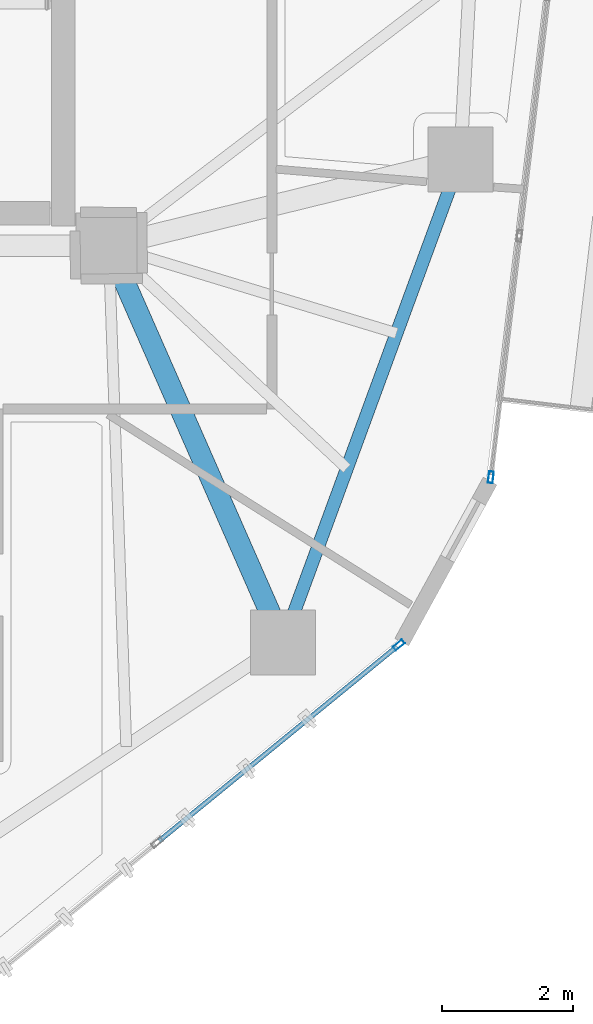
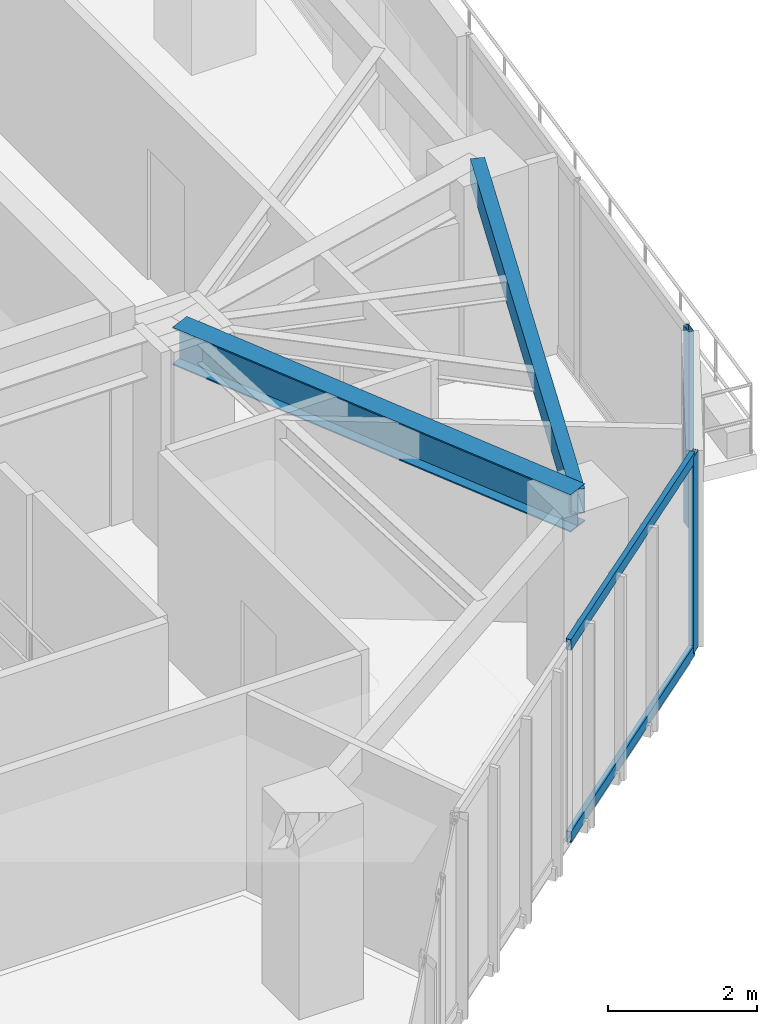
# One storey, part 7 of 22: 4 members, 2 beams, 2 elements without a shape of their own.
"""IFC4 building model written with IfcOpenShell, lengths in metres."""

from ifc_helpers import new_model, si_unit, direction, frame, origin, origin_2d, place, context, subcontext, project, spatial, hollow_rectangle, i_section, extrude, source, transform, mapped, material, layer, layer_set, material_profile, profile_set, type_object, type_shapes, element, aggregate, save


model = new_model("IFC4")

# Units and contexts
model_context = context("Model", 3, precision=1e-05, world=origin(), true_north=direction((0.0, 1.0)))
body_context = subcontext(model_context, "Body", "Model", "MODEL_VIEW")
ifc_project = project(units=[si_unit("LENGTHUNIT", "METRE"), si_unit("AREAUNIT", "SQUARE_METRE"), si_unit("VOLUMEUNIT", "CUBIC_METRE"), si_unit("PLANEANGLEUNIT", "RADIAN"), si_unit("MASSUNIT", "GRAM", prefix="KILO")], contexts=[model_context])

# Site, building, storey
site_placement = place(None, origin())
site = spatial("IfcSite", under=ifc_project, at=site_placement, CompositionType="ELEMENT")
building_placement = place(site_placement, origin())
building = spatial("IfcBuilding", under=site, at=building_placement, Name="Talar Marvaseh", CompositionType="ELEMENT")
storey_placement = place(building_placement, frame((0.0, 0.0, 208.199951171875)))
storey = spatial("IfcBuildingStorey", under=building, at=storey_placement, Name="L54", CompositionType="ELEMENT", Elevation=208.199951171875)

# Beams
ifc_material_1 = material(Name="Steel S355", Category="steel")
ifc_material_profile_1 = material_profile(ifc_material_1, hollow_rectangle(XDim=0.199951171875, YDim=0.39990234375, WallThickness=0.013916015625, at=origin_2d()), Name="RHS400x200x14")
ifc_profile_set_1 = profile_set([ifc_material_profile_1], Name="Steel S355")
beam_type_1 = type_object("IfcBeamType", Name="Zone 3 Perimeter Spandrel Beam RHS400x200x14", PredefinedType="SPANDREL", material=ifc_profile_set_1)
beam_1_placement = place(storey_placement, frame((38.68896484375, 26.823974609375, 3.030029296875), z_axis=(-0.344742291376, -0.938697370049, 0.0), x_axis=(0.938697370049, -0.344742291376, 0.0)))
element("IfcBeam", 1, at=beam_1_placement, inside=storey, type_object=beam_type_1, Name="L54 Zone 3 Perimeter Spandrel Beam RHS400x200x14", PredefinedType="SPANDREL", context=body_context, shape_type="SweptSolid", body=[
    extrude(hollow_rectangle(XDim=0.199951171875, YDim=0.39990234375, WallThickness=0.013916015625, at=origin_2d()), origin(), (0.0, 0.0, 1.0), 7.88427734375),
])
ifc_material_profile_2 = material_profile(ifc_material_1, i_section(OverallWidth=0.324951171875, OverallDepth=0.615966796875, WebThickness=0.013916015625, FlangeThickness=0.021484375, at=origin_2d()), Name="W610x174")
ifc_profile_set_2 = profile_set([ifc_material_profile_2], Name="Steel S355")
beam_type_2 = type_object("IfcBeamType", Name="Zone 3 Radial Floor Girder W610x174", PredefinedType="BEAM", material=ifc_profile_set_2)
beam_2_placement = place(storey_placement, frame((35.970947265625, 19.423095703125, 2.922119140625), z_axis=(-0.402367581672, 0.91547819702, 0.0), x_axis=(-0.91547819702, -0.402367581672, 0.0)))
element("IfcBeam", 2, at=beam_2_placement, inside=storey, type_object=beam_type_2, Name="L54 Zone 3 Radial Floor Girder W610x174", PredefinedType="BEAM", context=body_context, shape_type="SweptSolid", body=[
    extrude(i_section(OverallWidth=0.324951171875, OverallDepth=0.615966796875, WebThickness=0.013916015625, FlangeThickness=0.021484375, at=origin_2d()), origin(), (0.0, 0.0, 1.0), 6.637939453125),
])

# Curtain wall, member
ifc_material_2 = material(Name="Architectural Aluminium", Category="aluminium")
ifc_layer = layer(ifc_material_2, 0.18994140625)
ifc_layer_set = layer_set([ifc_layer], Name="Architectural Aluminium")
curtain_wall_type = type_object("IfcCurtainWallType", Name="Unitised Solar Atelier Curtain Wall Z3", PredefinedType="NOTDEFINED", material=ifc_layer_set)
curtain_wall_1_placement = place(storey_placement, origin())
curtain_wall_1 = element("IfcCurtainWall", 3, at=curtain_wall_1_placement, inside=storey, type_object=curtain_wall_type, Name="L54 Unitised Solar Atelier Curtain Wall Z3", PredefinedType="NOTDEFINED")
ifc_material_profile_3 = material_profile(ifc_material_2, hollow_rectangle(XDim=0.074951171875, YDim=0.179931640625, WallThickness=0.0048828125, at=origin_2d()), Name="RHS180x75x5")
ifc_profile_set_3 = profile_set([ifc_material_profile_3], Name="Architectural Aluminium")
member_type_1 = type_object("IfcMemberType", Name="Unitised Curtain Wall Standard Mullion RHS180x75x5", PredefinedType="MULLION", material=ifc_profile_set_3)
shared_shape_1 = source(origin(), body_context, "Body", "SweptSolid", [
    extrude(hollow_rectangle(XDim=0.074951171875, YDim=0.179931640625, WallThickness=0.0048828125, at=origin_2d()), origin(), (0.0, 0.0, 1.0), 3.22998046875),
])
type_shapes(member_type_1, [shared_shape_1])
member_1_placement = place(storey_placement, frame((39.15576171875, 21.953125, 0.0), z_axis=(0.0, 0.0, 1.0), x_axis=(0.993050517361, -0.117688869355, 0.0)))
member_1 = element("IfcMember", 4, at=member_1_placement, type_object=member_type_1, Name="CW-Z3 mullion 3", PredefinedType="MULLION", context=body_context, shape_type="MappedRepresentation", body=[
    mapped(shared_shape_1, transform((0.0, 0.0, 0.0), x_axis=(1.0, 0.0, 0.0), y_axis=(0.0, 1.0, 0.0), z_axis=(0.0, 0.0, 1.0), scale=1.0)),
])
aggregate(curtain_wall_1, [member_1])

# Curtain wall, members
curtain_wall_2_placement = place(storey_placement, origin())
curtain_wall_2 = element("IfcCurtainWall", 5, at=curtain_wall_2_placement, inside=storey, type_object=curtain_wall_type, Name="L54 Unitised Solar Atelier Curtain Wall Z3", PredefinedType="NOTDEFINED")
member_2_placement = place(storey_placement, frame((37.746826171875, 19.384765625, 0.0), z_axis=(0.0, 0.0, 1.0), x_axis=(0.632822116312, -0.774297209801, 0.0)))
member_2 = element("IfcMember", 6, at=member_2_placement, type_object=member_type_1, Name="CW-Z3 mullion 1", PredefinedType="MULLION", context=body_context, shape_type="MappedRepresentation", body=[
    mapped(shared_shape_1, transform((0.0, 0.0, 0.0), x_axis=(1.0, 0.0, 0.0), y_axis=(0.0, 1.0, 0.0), z_axis=(0.0, 0.0, 1.0), scale=1.0)),
])
ifc_material_profile_4 = material_profile(ifc_material_2, hollow_rectangle(XDim=0.074951171875, YDim=0.179931640625, WallThickness=0.0048828125, at=origin_2d()), Name="RHS180x75x5")
ifc_profile_set_4 = profile_set([ifc_material_profile_4], Name="Architectural Aluminium")
member_type_2 = type_object("IfcMemberType", Name="Unitised Curtain Wall Transom RHS180x75x5", PredefinedType="USERDEFINED", material=ifc_profile_set_4)
shared_shape_2 = source(origin(), body_context, "Body", "SweptSolid", [
    extrude(hollow_rectangle(XDim=0.074951171875, YDim=0.179931640625, WallThickness=0.0048828125, at=origin_2d()), origin(), (0.0, 0.0, 1.0), 4.709716796875),
])
type_shapes(member_type_2, [shared_shape_2])
member_3_placement = place(storey_placement, frame((37.7177734375, 19.36083984375, 0.03759765625), z_axis=(-0.774317479858, -0.632797313827, 0.0), x_axis=(0.632797313827, -0.774317479858, 0.0)))
member_3 = element("IfcMember", 7, at=member_3_placement, type_object=member_type_2, Name="CW-Z3 transom 1.1", ObjectType="TRANSOM", PredefinedType="USERDEFINED", context=body_context, shape_type="MappedRepresentation", body=[
    mapped(shared_shape_2, transform((0.0, 0.0, 0.0), x_axis=(1.0, 0.0, 0.0), y_axis=(0.0, 1.0, 0.0), z_axis=(0.0, 0.0, 1.0), scale=1.0)),
])
member_4_placement = place(storey_placement, frame((37.7177734375, 19.36083984375, 3.192626953125), z_axis=(-0.774317479858, -0.632797313827, 0.0), x_axis=(0.632797313827, -0.774317479858, 0.0)))
member_4 = element("IfcMember", 8, at=member_4_placement, type_object=member_type_2, Name="CW-Z3 transom 1.2", ObjectType="TRANSOM", PredefinedType="USERDEFINED", context=body_context, shape_type="MappedRepresentation", body=[
    mapped(shared_shape_2, transform((0.0, 0.0, 0.0), x_axis=(1.0, 0.0, 0.0), y_axis=(0.0, 1.0, 0.0), z_axis=(0.0, 0.0, 1.0), scale=1.0)),
])
aggregate(curtain_wall_2, [member_2, member_3, member_4])

save(model, "model.ifc")
